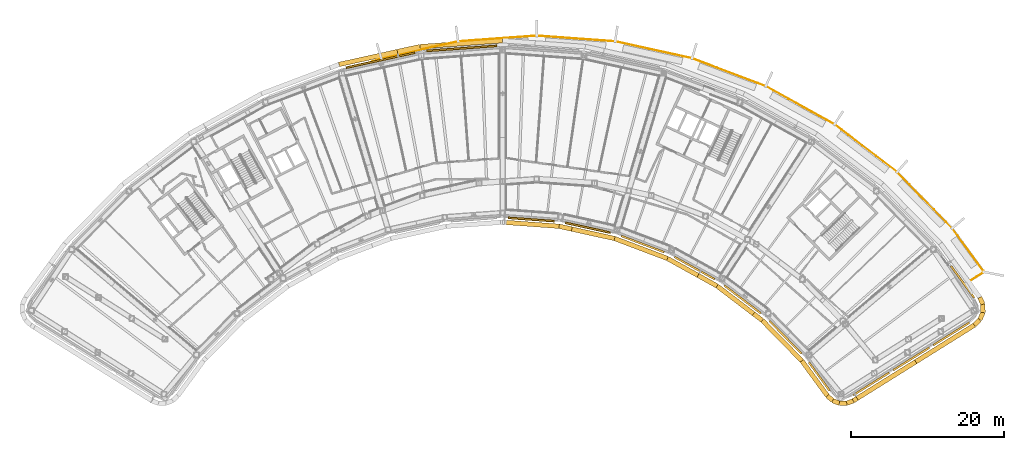
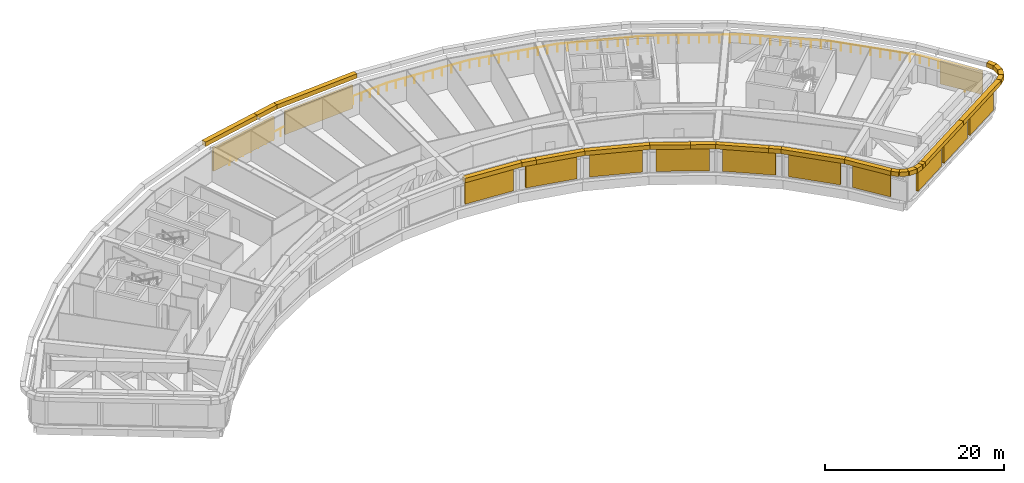
# One storey, part 22 of 25: 24 coverings, 13 shading devices, 1 railing.
"""IFC4 building model written with IfcOpenShell, lengths in metres."""

from ifc_helpers import new_model, si_unit, direction, frame, origin, origin_2d, place, context, subcontext, project, spatial, rectangle, circle, extrude, material, material_profile, profile_set, type_object, element, save


model = new_model("IFC4")

# Units and contexts
model_context = context("Model", 3, precision=1e-05, world=origin(), true_north=direction((0.0, 1.0)))
body_context = subcontext(model_context, "Body", "Model", "MODEL_VIEW")
ifc_project = project(units=[si_unit("LENGTHUNIT", "METRE"), si_unit("AREAUNIT", "SQUARE_METRE"), si_unit("VOLUMEUNIT", "CUBIC_METRE"), si_unit("PLANEANGLEUNIT", "RADIAN"), si_unit("MASSUNIT", "GRAM", prefix="KILO")], contexts=[model_context])

# Site, building, storey
site_placement = place(None, origin())
site = spatial("IfcSite", under=ifc_project, at=site_placement, CompositionType="ELEMENT")
building_placement = place(site_placement, origin())
building = spatial("IfcBuilding", under=site, at=building_placement, Name="Tuul Gate Civic Tower", CompositionType="ELEMENT")
storey_placement = place(building_placement, frame((0.0, 0.0, 133.699951171875)))
storey = spatial("IfcBuildingStorey", under=building, at=storey_placement, Name="Plant and refuge floor 4", CompositionType="ELEMENT", Elevation=133.699951171875)

# Shading devices
ifc_material_1 = material(Name="Aluminium louvre", Category="aluminium")
shading_device_type = type_object("IfcShadingDeviceType", Name="Louvre panel", PredefinedType="USERDEFINED", material=ifc_material_1)
shading_device_1_placement = place(storey_placement, frame((65.568603515625, -21.143310546875, 0.300048828125), z_axis=(0.0, 0.0, 1.0), x_axis=(0.807578487079, 0.589760109881, 0.0)))
element("IfcShadingDevice", 1, at=shading_device_1_placement, inside=storey, type_object=shading_device_type, Name="Louvre panel", ObjectType="LOUVRE", PredefinedType="USERDEFINED", context=body_context, shape_type="SweptSolid", body=[
    extrude(rectangle(XDim=0.25, YDim=5.14990234375, at=origin_2d()), origin(), (0.0, 0.0, 1.0), 3.14990234375),
])
for number, where, z_axis, x_axis, name in (
    (2, (0.008056640625, 9.419677734375, 0.300048828125), (0.0, 0.0, 1.0), (-0.07223936563, 0.997387323989, 0.0), "Louvre panel"),
    (3, (-10.6123046875, 7.873046875, 0.300048828125), (0.0, 0.0, 1.0), (-0.215215147882, 0.976566659334, 0.0), "Louvre panel"),
):
    element("IfcShadingDevice", number, at=place(storey_placement, frame(where, z_axis=z_axis, x_axis=x_axis)), inside=storey, type_object=shading_device_type, Name=name, ObjectType="LOUVRE", PredefinedType="USERDEFINED", context=body_context, shape_type="SweptSolid", body=[
        extrude(rectangle(XDim=0.25, YDim=9.199951171875, at=origin_2d()), origin(), (0.0, 0.0, 1.0), 3.14990234375),
    ])
for number, where, z_axis, x_axis, name in (
    (4, (9.118408203125, -12.9716796875, 0.300048828125), (0.0, 0.0, 1.0), (-0.072276176045, -0.997384657179, 0.0), "Louvre panel"),
    (5, (16.529052734375, -14.051025390625, 0.300048828125), (0.0, 0.0, 1.0), (-0.215241961183, -0.976560749849, 0.0), "Louvre panel"),
    (6, (23.706787109375, -16.18701171875, 0.300048828125), (0.0, 0.0, 1.0), (-0.353684769481, -0.935364679597, 0.0), "Louvre panel"),
    (7, (30.501953125, -19.334716796875, 0.300048828125), (0.0, 0.0, 1.0), (-0.48480794476, -0.874620635875, 0.0), "Louvre panel"),
    (8, (36.772216796875, -23.429443359375, 0.300048828125), (0.0, 0.0, 1.0), (-0.605851052715, -0.795578092914, 0.0), "Louvre panel"),
    (9, (42.38720703125, -28.385009765625, 0.300048828125), (0.0, 0.0, 1.0), (-0.714113208541, -0.700030231767, 0.0), "Louvre panel"),
):
    element("IfcShadingDevice", number, at=place(storey_placement, frame(where, z_axis=z_axis, x_axis=x_axis)), inside=storey, type_object=shading_device_type, Name=name, ObjectType="LOUVRE", PredefinedType="USERDEFINED", context=body_context, shape_type="SweptSolid", body=[
        extrude(rectangle(XDim=0.25, YDim=6.0, at=origin_2d()), origin(), (0.0, 0.0, 1.0), 3.14990234375),
    ])
shading_device_2_placement = place(storey_placement, frame((46.810302734375, -33.52392578125, 0.300048828125), z_axis=(0.0, 0.0, 1.0), x_axis=(-0.807595190444, -0.589737236717, 0.0)))
element("IfcShadingDevice", 10, at=shading_device_2_placement, inside=storey, type_object=shading_device_type, Name="Louvre panel", ObjectType="LOUVRE", PredefinedType="USERDEFINED", context=body_context, shape_type="SweptSolid", body=[
    extrude(rectangle(XDim=0.25, YDim=4.60009765625, at=origin_2d()), origin(), (0.0, 0.0, 1.0), 3.14990234375),
])
for number, where, z_axis, x_axis, name in (
    (11, (53.60888671875, -34.496826171875, 0.300048828125), (0.0, 0.0, 1.0), (0.529911707044, -0.848052818366, 0.0), "Louvre panel"),
    (12, (58.852294921875, -31.220458984375, 0.300048828125), (0.0, 0.0, 1.0), (0.529911707044, -0.848052818366, 0.0), "Louvre panel"),
    (13, (64.095458984375, -27.944091796875, 0.300048828125), (0.0, 0.0, 1.0), (0.529911707044, -0.848052818366, 0.0), "Louvre panel"),
):
    element("IfcShadingDevice", number, at=place(storey_placement, frame(where, z_axis=z_axis, x_axis=x_axis)), inside=storey, type_object=shading_device_type, Name=name, ObjectType="LOUVRE", PredefinedType="USERDEFINED", context=body_context, shape_type="SweptSolid", body=[
        extrude(rectangle(XDim=0.25, YDim=5.550048828125, at=origin_2d()), origin(), (0.0, 0.0, 1.0), 3.14990234375),
    ])

# Railing
ifc_material_2 = material(Name="Stainless steel", Category="steel")
railing_type = type_object("IfcRailingType", Name="Terrace guard", PredefinedType="GUARDRAIL", material=ifc_material_2)
railing_placement = place(storey_placement, frame((65.832275390625, -21.444091796875, 0.0)))
element("IfcRailing", 14, at=railing_placement, inside=storey, type_object=railing_type, Name="Guard", PredefinedType="GUARDRAIL", context=body_context, shape_type="SweptSolid", body=[
    extrude(circle(Radius=0.02392578125, at=origin_2d()), frame((0.0, 0.0, 1.076171875), z_axis=(0.847993483563, 0.530006652633, 0.0), x_axis=(-0.530006652633, 0.847993483563, 0.0)), (0.0, 0.0, 1.0), 2.845458984375),
    extrude(circle(Radius=0.02392578125, at=origin_2d()), frame((2.412841796875, 1.508056640625, 1.076171875), z_axis=(0.719844295421, 0.694135570584, 0.0), x_axis=(-0.694135570584, 0.719844295421, 0.0)), (0.0, 0.0, 1.0), 0.075927734375),
    extrude(circle(Radius=0.02392578125, at=origin_2d()), frame((2.467529296875, 1.560791015625, 1.076171875), z_axis=(0.391482457863, 0.920185571059, 0.0), x_axis=(-0.920185571059, 0.391482457863, 0.0)), (0.0, 0.0, 1.0), 0.060546875),
    extrude(circle(Radius=0.02392578125, at=origin_2d()), frame((2.4912109375, 1.616455078125, 1.076171875), z_axis=(-0.016664352334, 0.99986114004, 0.0), x_axis=(-0.99986114004, -0.016664352334, 0.0)), (0.0, 0.0, 1.0), 0.05859375),
    extrude(circle(Radius=0.02392578125, at=origin_2d()), frame((2.490234375, 1.675048828125, 1.076171875), z_axis=(-0.415988373186, 0.909369932081, 0.0), x_axis=(-0.909369932081, -0.415988373186, 0.0)), (0.0, 0.0, 1.0), 0.07568359375),
    extrude(circle(Radius=0.02392578125, at=origin_2d()), frame((2.458740234375, 1.743896484375, 1.076171875), z_axis=(-0.58978467027, 0.807560550494, 0.0), x_axis=(-0.807560550494, -0.58978467027, 0.0)), (0.0, 0.0, 1.0), 6.915771484375),
    extrude(circle(Radius=0.02392578125, at=origin_2d()), frame((-1.6201171875, 7.328857421875, 1.076171875), z_axis=(-0.699996764896, 0.714146013876, 0.0), x_axis=(-0.714146013876, -0.699996764896, 0.0)), (0.0, 0.0, 1.0), 10.301025390625),
    extrude(circle(Radius=0.02392578125, at=origin_2d()), frame((-8.830810546875, 14.685302734375, 1.076171875), z_axis=(-0.795650386065, 0.60575610864, 0.0), x_axis=(-0.60575610864, -0.795650386065, 0.0)), (0.0, 0.0, 1.0), 10.30078125),
    extrude(circle(Radius=0.02392578125, at=origin_2d()), frame((-17.026611328125, 20.925048828125, 1.076171875), z_axis=(-0.874619747327, 0.484809547746, 0.0), x_axis=(-0.484809547746, -0.874619747327, 0.0)), (0.0, 0.0, 1.0), 10.30029296875),
    extrude(circle(Radius=0.02392578125, at=origin_2d()), frame((-26.035400390625, 25.918701171875, 1.076171875), z_axis=(-0.935328018854, 0.353781708327, 0.0), x_axis=(-0.353781708327, -0.935328018854, 0.0)), (0.0, 0.0, 1.0), 10.301025390625),
    extrude(circle(Radius=0.02392578125, at=origin_2d()), frame((-35.670166015625, 29.56298828125, 1.076171875), z_axis=(-0.976580266261, 0.215153395392, 0.0), x_axis=(-0.215153395392, -0.976580266261, 0.0)), (0.0, 0.0, 1.0), 10.301025390625),
    extrude(circle(Radius=0.02392578125, at=origin_2d()), frame((-45.72998046875, 31.779296875, 1.076171875), z_axis=(-0.997385142647, 0.072269476459, 0.0), x_axis=(-0.072269476459, -0.997385142647, 0.0)), (0.0, 0.0, 1.0), 10.300048828125),
    extrude(circle(Radius=0.02392578125, at=origin_2d()), frame((-56.003173828125, 32.523681640625, 1.076171875), z_axis=(-0.997385761518, -0.07226093496, 0.0), x_axis=(0.07226093496, -0.997385761518, 0.0)), (0.0, 0.0, 1.0), 10.30126953125),
    extrude(circle(Radius=0.02392578125, at=origin_2d()), frame((-66.277587890625, 31.779296875, 1.076171875), z_axis=(-0.976575877169, -0.215173316496, 0.0), x_axis=(0.215173316496, -0.976575877169, 0.0)), (0.0, 0.0, 1.0), 10.300048828125),
    extrude(circle(Radius=0.02392578125, at=origin_2d()), frame((-76.33642578125, 29.56298828125, 1.076171875), z_axis=(-0.935335276947, -0.353762518788, 0.0), x_axis=(0.353762518788, -0.935335276947, 0.0)), (0.0, 0.0, 1.0), 2.36083984375),
    extrude(circle(Radius=0.02099609375, at=origin_2d()), origin(), (0.0, 0.0, 1.0), 1.052001953125),
    extrude(circle(Radius=0.02099609375, at=origin_2d()), frame((0.80419921875, 0.502685546875, 0.0)), (0.0, 0.0, 1.0), 1.052001953125),
    extrude(circle(Radius=0.02099609375, at=origin_2d()), frame((1.608642578125, 1.00537109375, 0.0)), (0.0, 0.0, 1.0), 1.052001953125),
    extrude(circle(Radius=0.02099609375, at=origin_2d()), frame((2.412841796875, 1.508056640625, 0.0)), (0.0, 0.0, 1.0), 1.052001953125),
    extrude(circle(Radius=0.02099609375, at=origin_2d()), frame((2.467529296875, 1.560791015625, 0.0)), (0.0, 0.0, 1.0), 1.052001953125),
    extrude(circle(Radius=0.02099609375, at=origin_2d()), frame((2.4912109375, 1.616455078125, 0.0)), (0.0, 0.0, 1.0), 1.052001953125),
    extrude(circle(Radius=0.02099609375, at=origin_2d()), frame((2.490234375, 1.675048828125, 0.0)), (0.0, 0.0, 1.0), 1.052001953125),
    extrude(circle(Radius=0.02099609375, at=origin_2d()), frame((2.458740234375, 1.743896484375, 0.0)), (0.0, 0.0, 1.0), 1.052001953125),
    extrude(circle(Radius=0.02099609375, at=origin_2d()), frame((1.77880859375, 2.6748046875, 0.0)), (0.0, 0.0, 1.0), 1.052001953125),
    extrude(circle(Radius=0.02099609375, at=origin_2d()), frame((1.09912109375, 3.60546875, 0.0)), (0.0, 0.0, 1.0), 1.052001953125),
    extrude(circle(Radius=0.02099609375, at=origin_2d()), frame((0.41943359375, 4.536376953125, 0.0)), (0.0, 0.0, 1.0), 1.052001953125),
    extrude(circle(Radius=0.02099609375, at=origin_2d()), frame((-0.260498046875, 5.46728515625, 0.0)), (0.0, 0.0, 1.0), 1.052001953125),
    extrude(circle(Radius=0.02099609375, at=origin_2d()), frame((-0.9404296875, 6.39794921875, 0.0)), (0.0, 0.0, 1.0), 1.052001953125),
    extrude(circle(Radius=0.02099609375, at=origin_2d()), frame((-1.6201171875, 7.328857421875, 0.0)), (0.0, 0.0, 1.0), 1.052001953125),
    extrude(circle(Radius=0.02099609375, at=origin_2d()), frame((-2.42138671875, 8.146240234375, 0.0)), (0.0, 0.0, 1.0), 1.052001953125),
    extrude(circle(Radius=0.02099609375, at=origin_2d()), frame((-3.222412109375, 8.963623046875, 0.0)), (0.0, 0.0, 1.0), 1.052001953125),
    extrude(circle(Radius=0.02099609375, at=origin_2d()), frame((-4.023681640625, 9.781005859375, 0.0)), (0.0, 0.0, 1.0), 1.052001953125),
    extrude(circle(Radius=0.02099609375, at=origin_2d()), frame((-4.824951171875, 10.598388671875, 0.0)), (0.0, 0.0, 1.0), 1.052001953125),
    extrude(circle(Radius=0.02099609375, at=origin_2d()), frame((-5.6259765625, 11.415771484375, 0.0)), (0.0, 0.0, 1.0), 1.052001953125),
    extrude(circle(Radius=0.02099609375, at=origin_2d()), frame((-6.42724609375, 12.233154296875, 0.0)), (0.0, 0.0, 1.0), 1.052001953125),
    extrude(circle(Radius=0.02099609375, at=origin_2d()), frame((-7.228515625, 13.050537109375, 0.0)), (0.0, 0.0, 1.0), 1.052001953125),
    extrude(circle(Radius=0.02099609375, at=origin_2d()), frame((-8.029541015625, 13.867919921875, 0.0)), (0.0, 0.0, 1.0), 1.052001953125),
    extrude(circle(Radius=0.02099609375, at=origin_2d()), frame((-8.830810546875, 14.685302734375, 0.0)), (0.0, 0.0, 1.0), 1.052001953125),
    extrude(circle(Radius=0.02099609375, at=origin_2d()), frame((-9.741455078125, 15.378662109375, 0.0)), (0.0, 0.0, 1.0), 1.052001953125),
    extrude(circle(Radius=0.02099609375, at=origin_2d()), frame((-10.652099609375, 16.072021484375, 0.0)), (0.0, 0.0, 1.0), 1.052001953125),
    extrude(circle(Radius=0.02099609375, at=origin_2d()), frame((-11.562744140625, 16.76513671875, 0.0)), (0.0, 0.0, 1.0), 1.052001953125),
    extrude(circle(Radius=0.02099609375, at=origin_2d()), frame((-12.473388671875, 17.45849609375, 0.0)), (0.0, 0.0, 1.0), 1.052001953125),
    extrude(circle(Radius=0.02099609375, at=origin_2d()), frame((-13.384033203125, 18.15185546875, 0.0)), (0.0, 0.0, 1.0), 1.052001953125),
    extrude(circle(Radius=0.02099609375, at=origin_2d()), frame((-14.294677734375, 18.84521484375, 0.0)), (0.0, 0.0, 1.0), 1.052001953125),
    extrude(circle(Radius=0.02099609375, at=origin_2d()), frame((-15.205322265625, 19.538330078125, 0.0)), (0.0, 0.0, 1.0), 1.052001953125),
    extrude(circle(Radius=0.02099609375, at=origin_2d()), frame((-16.115966796875, 20.231689453125, 0.0)), (0.0, 0.0, 1.0), 1.052001953125),
    extrude(circle(Radius=0.02099609375, at=origin_2d()), frame((-17.026611328125, 20.925048828125, 0.0)), (0.0, 0.0, 1.0), 1.052001953125),
    extrude(circle(Radius=0.02099609375, at=origin_2d()), frame((-18.027587890625, 21.47998046875, 0.0)), (0.0, 0.0, 1.0), 1.052001953125),
    extrude(circle(Radius=0.02099609375, at=origin_2d()), frame((-19.028564453125, 22.03466796875, 0.0)), (0.0, 0.0, 1.0), 1.052001953125),
    extrude(circle(Radius=0.02099609375, at=origin_2d()), frame((-20.029541015625, 22.589599609375, 0.0)), (0.0, 0.0, 1.0), 1.052001953125),
    extrude(circle(Radius=0.02099609375, at=origin_2d()), frame((-21.030517578125, 23.14453125, 0.0)), (0.0, 0.0, 1.0), 1.052001953125),
    extrude(circle(Radius=0.02099609375, at=origin_2d()), frame((-22.031494140625, 23.69921875, 0.0)), (0.0, 0.0, 1.0), 1.052001953125),
    extrude(circle(Radius=0.02099609375, at=origin_2d()), frame((-23.032470703125, 24.254150390625, 0.0)), (0.0, 0.0, 1.0), 1.052001953125),
    extrude(circle(Radius=0.02099609375, at=origin_2d()), frame((-24.033447265625, 24.80908203125, 0.0)), (0.0, 0.0, 1.0), 1.052001953125),
    extrude(circle(Radius=0.02099609375, at=origin_2d()), frame((-25.034423828125, 25.36376953125, 0.0)), (0.0, 0.0, 1.0), 1.052001953125),
    extrude(circle(Radius=0.02099609375, at=origin_2d()), frame((-26.035400390625, 25.918701171875, 0.0)), (0.0, 0.0, 1.0), 1.052001953125),
    extrude(circle(Radius=0.02099609375, at=origin_2d()), frame((-27.10595703125, 26.32373046875, 0.0)), (0.0, 0.0, 1.0), 1.052001953125),
    extrude(circle(Radius=0.02099609375, at=origin_2d()), frame((-28.176513671875, 26.728515625, 0.0)), (0.0, 0.0, 1.0), 1.052001953125),
    extrude(circle(Radius=0.02099609375, at=origin_2d()), frame((-29.2470703125, 27.133544921875, 0.0)), (0.0, 0.0, 1.0), 1.052001953125),
    extrude(circle(Radius=0.02099609375, at=origin_2d()), frame((-30.317626953125, 27.538330078125, 0.0)), (0.0, 0.0, 1.0), 1.052001953125),
    extrude(circle(Radius=0.02099609375, at=origin_2d()), frame((-31.387939453125, 27.943359375, 0.0)), (0.0, 0.0, 1.0), 1.052001953125),
    extrude(circle(Radius=0.02099609375, at=origin_2d()), frame((-32.45849609375, 28.34814453125, 0.0)), (0.0, 0.0, 1.0), 1.052001953125),
    extrude(circle(Radius=0.02099609375, at=origin_2d()), frame((-33.529052734375, 28.753173828125, 0.0)), (0.0, 0.0, 1.0), 1.052001953125),
    extrude(circle(Radius=0.02099609375, at=origin_2d()), frame((-34.599609375, 29.157958984375, 0.0)), (0.0, 0.0, 1.0), 1.052001953125),
    extrude(circle(Radius=0.02099609375, at=origin_2d()), frame((-35.670166015625, 29.56298828125, 0.0)), (0.0, 0.0, 1.0), 1.052001953125),
    extrude(circle(Radius=0.02099609375, at=origin_2d()), frame((-36.787841796875, 29.809326171875, 0.0)), (0.0, 0.0, 1.0), 1.052001953125),
    extrude(circle(Radius=0.02099609375, at=origin_2d()), frame((-37.90576171875, 30.055419921875, 0.0)), (0.0, 0.0, 1.0), 1.052001953125),
    extrude(circle(Radius=0.02099609375, at=origin_2d()), frame((-39.0234375, 30.3017578125, 0.0)), (0.0, 0.0, 1.0), 1.052001953125),
    extrude(circle(Radius=0.02099609375, at=origin_2d()), frame((-40.14111328125, 30.548095703125, 0.0)), (0.0, 0.0, 1.0), 1.052001953125),
    extrude(circle(Radius=0.02099609375, at=origin_2d()), frame((-41.259033203125, 30.794189453125, 0.0)), (0.0, 0.0, 1.0), 1.052001953125),
    extrude(circle(Radius=0.02099609375, at=origin_2d()), frame((-42.376708984375, 31.04052734375, 0.0)), (0.0, 0.0, 1.0), 1.052001953125),
    extrude(circle(Radius=0.02099609375, at=origin_2d()), frame((-43.494384765625, 31.286865234375, 0.0)), (0.0, 0.0, 1.0), 1.052001953125),
    extrude(circle(Radius=0.02099609375, at=origin_2d()), frame((-44.6123046875, 31.532958984375, 0.0)), (0.0, 0.0, 1.0), 1.052001953125),
    extrude(circle(Radius=0.02099609375, at=origin_2d()), frame((-45.72998046875, 31.779296875, 0.0)), (0.0, 0.0, 1.0), 1.052001953125),
    extrude(circle(Radius=0.02099609375, at=origin_2d()), frame((-46.871337890625, 31.862060546875, 0.0)), (0.0, 0.0, 1.0), 1.052001953125),
    extrude(circle(Radius=0.02099609375, at=origin_2d()), frame((-48.012939453125, 31.94482421875, 0.0)), (0.0, 0.0, 1.0), 1.052001953125),
    extrude(circle(Radius=0.02099609375, at=origin_2d()), frame((-49.154296875, 32.02734375, 0.0)), (0.0, 0.0, 1.0), 1.052001953125),
    extrude(circle(Radius=0.02099609375, at=origin_2d()), frame((-50.2958984375, 32.110107421875, 0.0)), (0.0, 0.0, 1.0), 1.052001953125),
    extrude(circle(Radius=0.02099609375, at=origin_2d()), frame((-51.437255859375, 32.19287109375, 0.0)), (0.0, 0.0, 1.0), 1.052001953125),
    extrude(circle(Radius=0.02099609375, at=origin_2d()), frame((-52.578857421875, 32.275634765625, 0.0)), (0.0, 0.0, 1.0), 1.052001953125),
    extrude(circle(Radius=0.02099609375, at=origin_2d()), frame((-53.72021484375, 32.358154296875, 0.0)), (0.0, 0.0, 1.0), 1.052001953125),
    extrude(circle(Radius=0.02099609375, at=origin_2d()), frame((-54.86181640625, 32.44091796875, 0.0)), (0.0, 0.0, 1.0), 1.052001953125),
    extrude(circle(Radius=0.02099609375, at=origin_2d()), frame((-56.003173828125, 32.523681640625, 0.0)), (0.0, 0.0, 1.0), 1.052001953125),
    extrude(circle(Radius=0.02099609375, at=origin_2d()), frame((-57.144775390625, 32.44091796875, 0.0)), (0.0, 0.0, 1.0), 1.052001953125),
    extrude(circle(Radius=0.02099609375, at=origin_2d()), frame((-58.286376953125, 32.358154296875, 0.0)), (0.0, 0.0, 1.0), 1.052001953125),
    extrude(circle(Radius=0.02099609375, at=origin_2d()), frame((-59.427978515625, 32.275634765625, 0.0)), (0.0, 0.0, 1.0), 1.052001953125),
    extrude(circle(Radius=0.02099609375, at=origin_2d()), frame((-60.569580078125, 32.19287109375, 0.0)), (0.0, 0.0, 1.0), 1.052001953125),
    extrude(circle(Radius=0.02099609375, at=origin_2d()), frame((-61.711181640625, 32.110107421875, 0.0)), (0.0, 0.0, 1.0), 1.052001953125),
    extrude(circle(Radius=0.02099609375, at=origin_2d()), frame((-62.852783203125, 32.02734375, 0.0)), (0.0, 0.0, 1.0), 1.052001953125),
    extrude(circle(Radius=0.02099609375, at=origin_2d()), frame((-63.994384765625, 31.94482421875, 0.0)), (0.0, 0.0, 1.0), 1.052001953125),
    extrude(circle(Radius=0.02099609375, at=origin_2d()), frame((-65.135986328125, 31.862060546875, 0.0)), (0.0, 0.0, 1.0), 1.052001953125),
    extrude(circle(Radius=0.02099609375, at=origin_2d()), frame((-66.277587890625, 31.779296875, 0.0)), (0.0, 0.0, 1.0), 1.052001953125),
    extrude(circle(Radius=0.02099609375, at=origin_2d()), frame((-67.395263671875, 31.532958984375, 0.0)), (0.0, 0.0, 1.0), 1.052001953125),
    extrude(circle(Radius=0.02099609375, at=origin_2d()), frame((-68.512939453125, 31.286865234375, 0.0)), (0.0, 0.0, 1.0), 1.052001953125),
    extrude(circle(Radius=0.02099609375, at=origin_2d()), frame((-69.630615234375, 31.04052734375, 0.0)), (0.0, 0.0, 1.0), 1.052001953125),
    extrude(circle(Radius=0.02099609375, at=origin_2d()), frame((-70.748291015625, 30.794189453125, 0.0)), (0.0, 0.0, 1.0), 1.052001953125),
    extrude(circle(Radius=0.02099609375, at=origin_2d()), frame((-71.86572265625, 30.548095703125, 0.0)), (0.0, 0.0, 1.0), 1.052001953125),
    extrude(circle(Radius=0.02099609375, at=origin_2d()), frame((-72.9833984375, 30.3017578125, 0.0)), (0.0, 0.0, 1.0), 1.052001953125),
    extrude(circle(Radius=0.02099609375, at=origin_2d()), frame((-74.10107421875, 30.055419921875, 0.0)), (0.0, 0.0, 1.0), 1.052001953125),
    extrude(circle(Radius=0.02099609375, at=origin_2d()), frame((-75.21875, 29.809326171875, 0.0)), (0.0, 0.0, 1.0), 1.052001953125),
    extrude(circle(Radius=0.02099609375, at=origin_2d()), frame((-76.33642578125, 29.56298828125, 0.0)), (0.0, 0.0, 1.0), 1.052001953125),
    extrude(circle(Radius=0.02099609375, at=origin_2d()), frame((-77.4404296875, 29.1455078125, 0.0)), (0.0, 0.0, 1.0), 1.052001953125),
    extrude(circle(Radius=0.02099609375, at=origin_2d()), frame((-78.544677734375, 28.727783203125, 0.0)), (0.0, 0.0, 1.0), 1.052001953125),
])

# Coverings
ifc_material_3 = material(Name="Terracotta baguette", Category="masonry")
ifc_material_profile = material_profile(ifc_material_3, rectangle(XDim=0.60009765625, YDim=0.60009765625, at=origin_2d()), Name="Terracotta baguette screen frame")
ifc_profile_set = profile_set([ifc_material_profile], Name="Terracotta baguette")
covering_type = type_object("IfcCoveringType", Name="Terracotta baguette screen frame", PredefinedType="CLADDING", material=ifc_profile_set)
covering_1_placement = place(storey_placement, frame((-8.40478515625, 8.99951171875, 4.150146484375), z_axis=(-0.97656661245, -0.215215360623, 0.0), x_axis=(0.215215360623, -0.97656661245, 0.0)))
element("IfcCovering", 15, at=covering_1_placement, inside=storey, type_object=covering_type, Name="Baguette 87", PredefinedType="CLADDING", context=body_context, shape_type="SweptSolid", body=[
    extrude(rectangle(XDim=0.60009765625, YDim=0.60009765625, at=origin_2d()), origin(), (0.0, 0.0, 1.0), 7.823974609375),
])
covering_2_placement = place(storey_placement, frame((5.635986328125, -13.345947265625, 4.150146484375), z_axis=(0.997385437558, -0.072265406293, 0.0), x_axis=(0.072265406293, 0.997385437558, 0.0)))
element("IfcCovering", 16, at=covering_2_placement, inside=storey, type_object=covering_type, Name="Baguette 220", PredefinedType="CLADDING", context=body_context, shape_type="SweptSolid", body=[
    extrude(rectangle(XDim=0.60009765625, YDim=0.60009765625, at=origin_2d()), origin(), (0.0, 0.0, 1.0), 7.155517578125),
])
covering_3_placement = place(storey_placement, frame((12.772705078125, -13.863037109375, 4.150146484375), z_axis=(0.976558033937, -0.215254283007, 0.0), x_axis=(0.215254283007, 0.976558033937, 0.0)))
element("IfcCovering", 17, at=covering_3_placement, inside=storey, type_object=covering_type, Name="Baguette 221", PredefinedType="CLADDING", context=body_context, shape_type="SweptSolid", body=[
    extrude(rectangle(XDim=0.60009765625, YDim=0.60009765625, at=origin_2d()), origin(), (0.0, 0.0, 1.0), 1.69677734375),
])
covering_4_placement = place(storey_placement, frame((30.947509765625, -20.29638671875, 4.150146484375), z_axis=(0.874604932638, -0.484836273195, 0.0), x_axis=(0.484836273195, 0.874604932638, 0.0)))
element("IfcCovering", 18, at=covering_4_placement, inside=storey, type_object=covering_type, Name="Baguette 240", PredefinedType="CLADDING", context=body_context, shape_type="SweptSolid", body=[
    extrude(rectangle(XDim=0.60009765625, YDim=0.60009765625, at=origin_2d()), origin(), (0.0, 0.0, 1.0), 2.85302734375),
])
covering_5_placement = place(storey_placement, frame((33.44287109375, -21.6796875, 4.150146484375), z_axis=(0.795578368083, -0.605850691373, 0.0), x_axis=(0.605850691373, 0.795578368083, 0.0)))
element("IfcCovering", 19, at=covering_5_placement, inside=storey, type_object=covering_type, Name="Baguette 241", PredefinedType="CLADDING", context=body_context, shape_type="SweptSolid", body=[
    extrude(rectangle(XDim=0.60009765625, YDim=0.60009765625, at=origin_2d()), origin(), (0.0, 0.0, 1.0), 5.9990234375),
])
covering_6_placement = place(storey_placement, frame((51.7587890625, -36.389892578125, 4.150146484375), z_axis=(0.848039206863, 0.52993348981, 0.0), x_axis=(-0.52993348981, 0.848039206863, 0.0)))
element("IfcCovering", 20, at=covering_6_placement, inside=storey, type_object=covering_type, Name="Baguette 282", PredefinedType="CLADDING", context=body_context, shape_type="SweptSolid", body=[
    extrude(rectangle(XDim=0.60009765625, YDim=0.60009765625, at=origin_2d()), origin(), (0.0, 0.0, 1.0), 9.05322265625),
])
covering_7_placement = place(storey_placement, frame((5.3740234375, 10.43505859375, 4.150146484375), z_axis=(-0.997386817082, -0.072246363998, 0.0), x_axis=(0.072246363998, -0.997386817082, 0.0)))
element("IfcCovering", 21, at=covering_7_placement, inside=storey, type_object=covering_type, Name="Baguette 387", PredefinedType="CLADDING", context=body_context, shape_type="SweptSolid", body=[
    extrude(rectangle(XDim=0.60009765625, YDim=0.60009765625, at=origin_2d()), origin(), (0.0, 0.0, 1.0), 10.850830078125),
])
covering_8_placement = place(storey_placement, frame((-5.448486328125, 9.651123046875, 4.150146484375), z_axis=(-0.976559435198, -0.21524792572, 0.0), x_axis=(0.21524792572, -0.976559435198, 0.0)))
element("IfcCovering", 22, at=covering_8_placement, inside=storey, type_object=covering_type, Name="Baguette 388", PredefinedType="CLADDING", context=body_context, shape_type="SweptSolid", body=[
    extrude(rectangle(XDim=0.60009765625, YDim=0.60009765625, at=origin_2d()), origin(), (0.0, 0.0, 1.0), 3.02734375),
])
covering_9_placement = place(storey_placement, frame((14.4296875, -14.228271484375, 4.150146484375), z_axis=(0.97655913888, -0.21524927008, 0.0), x_axis=(0.21524927008, 0.97655913888, 0.0)))
element("IfcCovering", 23, at=covering_9_placement, inside=storey, type_object=covering_type, Name="Baguette 402", PredefinedType="CLADDING", context=body_context, shape_type="SweptSolid", body=[
    extrude(rectangle(XDim=0.60009765625, YDim=0.60009765625, at=origin_2d()), origin(), (0.0, 0.0, 1.0), 5.720947265625),
])
covering_10_placement = place(storey_placement, frame((20.0166015625, -15.459716796875, 4.150146484375), z_axis=(0.935363965038, -0.353686659217, 0.0), x_axis=(0.353686659217, 0.935363965038, 0.0)))
element("IfcCovering", 24, at=covering_10_placement, inside=storey, type_object=covering_type, Name="Baguette 403", PredefinedType="CLADDING", context=body_context, shape_type="SweptSolid", body=[
    extrude(rectangle(XDim=0.60009765625, YDim=0.60009765625, at=origin_2d()), origin(), (0.0, 0.0, 1.0), 7.417724609375),
])
covering_11_placement = place(storey_placement, frame((26.954833984375, -18.083251953125, 4.150146484375), z_axis=(0.874623567378, -0.484802656126, 0.0), x_axis=(0.484802656126, 0.874623567378, 0.0)))
element("IfcCovering", 25, at=covering_11_placement, inside=storey, type_object=covering_type, Name="Baguette 404", PredefinedType="CLADDING", context=body_context, shape_type="SweptSolid", body=[
    extrude(rectangle(XDim=0.60009765625, YDim=0.60009765625, at=origin_2d()), origin(), (0.0, 0.0, 1.0), 4.56494140625),
])
covering_12_placement = place(storey_placement, frame((38.215576171875, -25.314208984375, 4.150146484375), z_axis=(0.795601526241, -0.605820279821, 0.0), x_axis=(0.605820279821, 0.795601526241, 0.0)))
element("IfcCovering", 26, at=covering_12_placement, inside=storey, type_object=covering_type, Name="Baguette 405", PredefinedType="CLADDING", context=body_context, shape_type="SweptSolid", body=[
    extrude(rectangle(XDim=0.60009765625, YDim=0.60009765625, at=origin_2d()), origin(), (0.0, 0.0, 1.0), 1.4189453125),
])
covering_13_placement = place(storey_placement, frame((39.344482421875, -26.173828125, 4.150146484375), z_axis=(0.700028633045, -0.714114775731, 0.0), x_axis=(0.714114775731, 0.700028633045, 0.0)))
element("IfcCovering", 27, at=covering_13_placement, inside=storey, type_object=covering_type, Name="Baguette 406", PredefinedType="CLADDING", context=body_context, shape_type="SweptSolid", body=[
    extrude(rectangle(XDim=0.60009765625, YDim=0.60009765625, at=origin_2d()), origin(), (0.0, 0.0, 1.0), 7.41796875),
])
covering_14_placement = place(storey_placement, frame((44.537353515625, -31.47119140625, 4.150146484375), z_axis=(0.589729447422, -0.807600878432, 0.0), x_axis=(0.807600878432, 0.589729447422, 0.0)))
element("IfcCovering", 28, at=covering_14_placement, inside=storey, type_object=covering_type, Name="Baguette 407", PredefinedType="CLADDING", context=body_context, shape_type="SweptSolid", body=[
    extrude(rectangle(XDim=0.60009765625, YDim=0.60009765625, at=origin_2d()), origin(), (0.0, 0.0, 1.0), 5.671142578125),
])
covering_15_placement = place(storey_placement, frame((47.8818359375, -36.05126953125, 4.150146484375), z_axis=(0.730001285686, -0.683445771731, 0.0), x_axis=(0.683445771731, 0.730001285686, 0.0)))
element("IfcCovering", 29, at=covering_15_placement, inside=storey, type_object=covering_type, Name="Baguette 408", PredefinedType="CLADDING", context=body_context, shape_type="SweptSolid", body=[
    extrude(rectangle(XDim=0.60009765625, YDim=0.60009765625, at=origin_2d()), origin(), (0.0, 0.0, 1.0), 0.902099609375),
])
covering_16_placement = place(storey_placement, frame((48.540283203125, -36.667724609375, 4.150146484375), z_axis=(0.929647485715, -0.36845020329, 0.0), x_axis=(0.36845020329, 0.929647485715, 0.0)))
element("IfcCovering", 30, at=covering_16_placement, inside=storey, type_object=covering_type, Name="Baguette 409", PredefinedType="CLADDING", context=body_context, shape_type="SweptSolid", body=[
    extrude(rectangle(XDim=0.60009765625, YDim=0.60009765625, at=origin_2d()), origin(), (0.0, 0.0, 1.0), 0.97412109375),
])
covering_17_placement = place(storey_placement, frame((49.44580078125, -37.026611328125, 4.150146484375), z_axis=(0.999996190252, -0.002760340801, 0.0), x_axis=(0.002760340801, 0.999996190252, 0.0)))
element("IfcCovering", 31, at=covering_17_placement, inside=storey, type_object=covering_type, Name="Baguette 410", PredefinedType="CLADDING", context=body_context, shape_type="SweptSolid", body=[
    extrude(rectangle(XDim=0.60009765625, YDim=0.60009765625, at=origin_2d()), origin(), (0.0, 0.0, 1.0), 0.972900390625),
])
covering_18_placement = place(storey_placement, frame((50.418701171875, -37.029296875, 4.150146484375), z_axis=(0.93192841172, 0.362642296801, 0.0), x_axis=(-0.362642296801, 0.93192841172, 0.0)))
element("IfcCovering", 32, at=covering_18_placement, inside=storey, type_object=covering_type, Name="Baguette 411", PredefinedType="CLADDING", context=body_context, shape_type="SweptSolid", body=[
    extrude(rectangle(XDim=0.60009765625, YDim=0.60009765625, at=origin_2d()), origin(), (0.0, 0.0, 1.0), 0.9013671875),
])
covering_19_placement = place(storey_placement, frame((51.2587890625, -36.702392578125, 4.150146484375), z_axis=(0.847998304005, 0.529998940003, 0.0), x_axis=(-0.529998940003, 0.847998304005, 0.0)))
element("IfcCovering", 33, at=covering_19_placement, inside=storey, type_object=covering_type, Name="Baguette 412", PredefinedType="CLADDING", context=body_context, shape_type="SweptSolid", body=[
    extrude(rectangle(XDim=0.60009765625, YDim=0.60009765625, at=origin_2d()), origin(), (0.0, 0.0, 1.0), 0.589599609375),
])
covering_20_placement = place(storey_placement, frame((59.436279296875, -31.59228515625, 4.150146484375), z_axis=(0.84807101712, 0.529882581258, 0.0), x_axis=(-0.529882581258, 0.84807101712, 0.0)))
element("IfcCovering", 34, at=covering_20_placement, inside=storey, type_object=covering_type, Name="Baguette 413", PredefinedType="CLADDING", context=body_context, shape_type="SweptSolid", body=[
    extrude(rectangle(XDim=0.60009765625, YDim=0.60009765625, at=origin_2d()), origin(), (0.0, 0.0, 1.0), 9.05322265625),
])
covering_21_placement = place(storey_placement, frame((67.114013671875, -26.795166015625, 4.150146484375), z_axis=(0.722137314744, 0.691749737011, 0.0), x_axis=(-0.691749737011, 0.722137314744, 0.0)))
element("IfcCovering", 35, at=covering_21_placement, inside=storey, type_object=covering_type, Name="Baguette 414", PredefinedType="CLADDING", context=body_context, shape_type="SweptSolid", body=[
    extrude(rectangle(XDim=0.60009765625, YDim=0.60009765625, at=origin_2d()), origin(), (0.0, 0.0, 1.0), 0.98828125),
])
covering_22_placement = place(storey_placement, frame((67.82763671875, -26.111572265625, 4.150146484375), z_axis=(0.385784883999, 0.922588761734, 0.0), x_axis=(-0.922588761734, 0.385784883999, 0.0)))
element("IfcCovering", 36, at=covering_22_placement, inside=storey, type_object=covering_type, Name="Baguette 415", PredefinedType="CLADDING", context=body_context, shape_type="SweptSolid", body=[
    extrude(rectangle(XDim=0.60009765625, YDim=0.60009765625, at=origin_2d()), origin(), (0.0, 0.0, 1.0), 1.06689453125),
])
covering_23_placement = place(storey_placement, frame((68.2392578125, -25.127197265625, 4.150146484375), z_axis=(-0.014633694716, 0.999892921757, 0.0), x_axis=(-0.999892921757, -0.014633694716, 0.0)))
element("IfcCovering", 37, at=covering_23_placement, inside=storey, type_object=covering_type, Name="Baguette 416", PredefinedType="CLADDING", context=body_context, shape_type="SweptSolid", body=[
    extrude(rectangle(XDim=0.60009765625, YDim=0.60009765625, at=origin_2d()), origin(), (0.0, 0.0, 1.0), 1.067626953125),
])
covering_24_placement = place(storey_placement, frame((68.2236328125, -24.0595703125, 4.150146484375), z_axis=(-0.413393330634, 0.910552554325, 0.0), x_axis=(-0.910552554325, -0.413393330634, 0.0)))
element("IfcCovering", 38, at=covering_24_placement, inside=storey, type_object=covering_type, Name="Baguette 417", PredefinedType="CLADDING", context=body_context, shape_type="SweptSolid", body=[
    extrude(rectangle(XDim=0.60009765625, YDim=0.60009765625, at=origin_2d()), origin(), (0.0, 0.0, 1.0), 0.988037109375),
])

save(model, "model.ifc")
